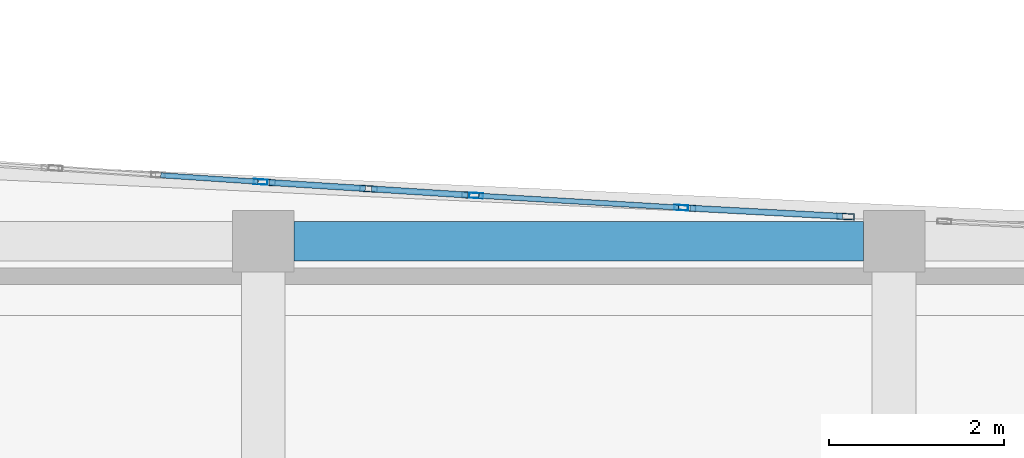
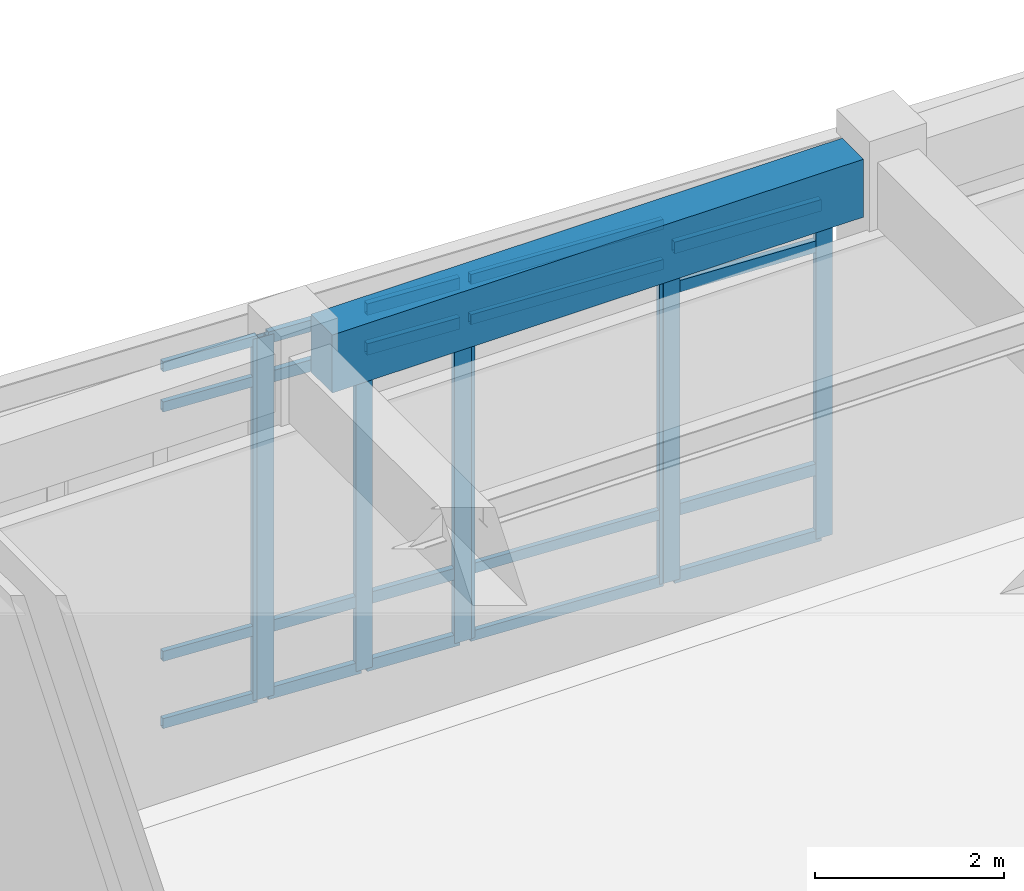
# One storey, part 58 of 102: 28 members, 1 beam, 4 elements without a shape of their own.
"""IFC4 building model written with IfcOpenShell, lengths in metres."""

from ifc_helpers import new_model, si_unit, direction, frame, origin, origin_2d, place, context, subcontext, project, spatial, rectangle, hollow_rectangle, extrude, material, layer, layer_set, material_profile, profile_set, type_object, element, aggregate, save


model = new_model("IFC4")

# Units and contexts
model_context = context("Model", 3, precision=1e-05, world=origin(), true_north=direction((0.0, 1.0)))
body_context = subcontext(model_context, "Body", "Model", "MODEL_VIEW")
ifc_project = project(units=[si_unit("LENGTHUNIT", "METRE"), si_unit("AREAUNIT", "SQUARE_METRE"), si_unit("VOLUMEUNIT", "CUBIC_METRE"), si_unit("PLANEANGLEUNIT", "RADIAN"), si_unit("MASSUNIT", "GRAM", prefix="KILO")], contexts=[model_context])

# Site, building, storey
site_placement = place(None, origin())
site = spatial("IfcSite", under=ifc_project, at=site_placement, CompositionType="ELEMENT")
building_placement = place(site_placement, origin())
building = spatial("IfcBuilding", under=site, at=building_placement, Name="Carrowvane Square Congress Hotel", CompositionType="ELEMENT")
storey_placement = place(building_placement, origin())
storey = spatial("IfcBuildingStorey", under=building, at=storey_placement, Name="L00", CompositionType="ELEMENT", Elevation=0.0)

# Beam
ifc_material_1 = material(Name="Concrete C35/45", Category="concrete")
ifc_material_profile_1 = material_profile(ifc_material_1, rectangle(XDim=0.449951171875, YDim=0.75, at=origin_2d()), Name="RC 450x750")
ifc_profile_set_1 = profile_set([ifc_material_profile_1], Name="Concrete C35/45")
beam_type = type_object("IfcBeamType", Name="BM-RC-450x750", PredefinedType="USERDEFINED", material=ifc_profile_set_1)
beam_placement = place(storey_placement, frame((148.75, 113.39990234375, 4.72509765625), z_axis=(1.0, 0.0, 0.0), x_axis=(0.0, 1.0, 0.0)))
element("IfcBeam", 1, at=beam_placement, inside=storey, type_object=beam_type, Name="L01 girder R/20-21", ObjectType="GIRDER", PredefinedType="USERDEFINED", context=body_context, shape_type="SweptSolid", body=[
    extrude(rectangle(XDim=0.449951171875, YDim=0.75, at=origin_2d()), origin(), (0.0, 0.0, 1.0), 6.5),
])

# Curtain wall, member
ifc_material_2 = material(Name="Anodised aluminium", Category="aluminium")
ifc_layer_1 = layer(ifc_material_2, 0.23388671875)
ifc_layer_set_1 = layer_set([ifc_layer_1], Name="Anodised aluminium")
curtain_wall_type_1 = type_object("IfcCurtainWallType", Name="CW-SYS-7", PredefinedType="NOTDEFINED", material=ifc_layer_set_1)
curtain_wall_1_placement = place(storey_placement, origin())
curtain_wall_1 = element("IfcCurtainWall", 2, at=curtain_wall_1_placement, inside=storey, type_object=curtain_wall_type_1, Name="L00 unitised curtain wall 46", PredefinedType="NOTDEFINED")
ifc_material_3 = material(Name="Anodised aluminium", Category="aluminium")
ifc_material_profile_2 = material_profile(ifc_material_3, hollow_rectangle(XDim=0.06005859375, YDim=0.159912109375, WallThickness=0.00390625, at=origin_2d()), Name="CW-ML 60x160x4")
ifc_profile_set_2 = profile_set([ifc_material_profile_2], Name="Anodised aluminium")
member_type_1 = type_object("IfcMemberType", Name="CW-MUL-1", PredefinedType="MULLION", material=ifc_profile_set_2)
member_1_placement = place(storey_placement, frame((148.3701171875, 114.077392578125, 0.0), z_axis=(0.0, 0.0, 1.0), x_axis=(0.06657392244, 0.997781495544, 0.0)))
member_1 = element("IfcMember", 3, at=member_1_placement, type_object=member_type_1, Name="CW-7 mullion 3", PredefinedType="MULLION", context=body_context, shape_type="SweptSolid", body=[
    extrude(hollow_rectangle(XDim=0.06005859375, YDim=0.159912109375, WallThickness=0.00390625, at=origin_2d()), origin(), (0.0, 0.0, 1.0), 4.675537109375),
])

# Curtain wall, members
ifc_material_4 = material(Name="Anodised aluminium", Category="aluminium")
ifc_layer_2 = layer(ifc_material_4, 0.162109375)
ifc_layer_set_2 = layer_set([ifc_layer_2], Name="Anodised aluminium")
curtain_wall_type_2 = type_object("IfcCurtainWallType", Name="CW-SYS-1", PredefinedType="NOTDEFINED", material=ifc_layer_set_2)
curtain_wall_2_placement = place(storey_placement, origin())
curtain_wall_2 = element("IfcCurtainWall", 4, at=curtain_wall_2_placement, inside=storey, type_object=curtain_wall_type_2, Name="L00 unitised curtain wall 48", PredefinedType="NOTDEFINED")
member_2_placement = place(storey_placement, frame((150.829833984375, 113.92138671875, 0.0), z_axis=(0.0, 0.0, 1.0), x_axis=(0.058988522254, 0.99825866099, 0.0)))
member_2 = element("IfcMember", 5, at=member_2_placement, type_object=member_type_1, Name="CW-1 mullion 1", PredefinedType="MULLION", context=body_context, shape_type="SweptSolid", body=[
    extrude(hollow_rectangle(XDim=0.06005859375, YDim=0.159912109375, WallThickness=0.00390625, at=origin_2d()), origin(), (0.0, 0.0, 1.0), 4.675537109375),
])
member_3_placement = place(storey_placement, frame((153.170166015625, 113.783203125, 0.0), z_axis=(0.0, 0.0, 1.0), x_axis=(0.058988522254, 0.99825866099, 0.0)))
member_3 = element("IfcMember", 6, at=member_3_placement, type_object=member_type_1, Name="CW-1 mullion 2", PredefinedType="MULLION", context=body_context, shape_type="SweptSolid", body=[
    extrude(hollow_rectangle(XDim=0.06005859375, YDim=0.159912109375, WallThickness=0.00390625, at=origin_2d()), origin(), (0.0, 0.0, 1.0), 4.675537109375),
])

ifc_material_5 = material(Name="Anodised aluminium", Category="aluminium")
ifc_layer_3 = layer(ifc_material_5, 0.24609375)
ifc_layer_set_3 = layer_set([ifc_layer_3], Name="Anodised aluminium")
curtain_wall_type_3 = type_object("IfcCurtainWallType", Name="CW-SYS-8", PredefinedType="NOTDEFINED", material=ifc_layer_set_3)
curtain_wall_3_placement = place(storey_placement, origin())
curtain_wall_3 = element("IfcCurtainWall", 7, at=curtain_wall_3_placement, inside=storey, type_object=curtain_wall_type_3, Name="L00 unitised curtain wall 47", PredefinedType="NOTDEFINED")
ifc_material_6 = material(Name="Anodised aluminium", Category="aluminium")
ifc_material_profile_3 = material_profile(ifc_material_6, hollow_rectangle(XDim=0.070068359375, YDim=0.199951171875, WallThickness=0.0048828125, at=origin_2d()), Name="CW-ML 70x200x5")
ifc_profile_set_3 = profile_set([ifc_material_profile_3], Name="Anodised aluminium")
member_type_2 = type_object("IfcMemberType", Name="CW-MUL-2", PredefinedType="MULLION", material=ifc_profile_set_3)
member_4_placement = place(storey_placement, frame((148.434814453125, 114.0732421875, 0.0), z_axis=(0.0, 0.0, 1.0), x_axis=(0.063273487972, 0.997996225303, 0.0)))
member_4 = element("IfcMember", 8, at=member_4_placement, type_object=member_type_2, Name="CW-8 mullion 1", PredefinedType="MULLION", context=body_context, shape_type="SweptSolid", body=[
    extrude(hollow_rectangle(XDim=0.070068359375, YDim=0.199951171875, WallThickness=0.0048828125, at=origin_2d()), origin(), (0.0, 0.0, 1.0), 4.675537109375),
])
member_5_placement = place(storey_placement, frame((149.60009765625, 113.999267578125, 0.0), z_axis=(0.0, 0.0, 1.0), x_axis=(0.063273487972, 0.997996225303, 0.0)))
member_5 = element("IfcMember", 9, at=member_5_placement, type_object=member_type_2, Name="CW-8 mullion 2", PredefinedType="MULLION", context=body_context, shape_type="SweptSolid", body=[
    extrude(hollow_rectangle(XDim=0.070068359375, YDim=0.199951171875, WallThickness=0.0048828125, at=origin_2d()), origin(), (0.0, 0.0, 1.0), 4.675537109375),
])
member_6_placement = place(storey_placement, frame((150.76513671875, 113.92529296875, 0.0), z_axis=(0.0, 0.0, 1.0), x_axis=(0.063273487972, 0.997996225303, 0.0)))
member_6 = element("IfcMember", 10, at=member_6_placement, type_object=member_type_2, Name="CW-8 mullion 3", PredefinedType="MULLION", context=body_context, shape_type="SweptSolid", body=[
    extrude(hollow_rectangle(XDim=0.070068359375, YDim=0.199951171875, WallThickness=0.0048828125, at=origin_2d()), origin(), (0.0, 0.0, 1.0), 4.675537109375),
])

ifc_material_7 = material(Name="Anodised aluminium", Category="aluminium")
ifc_layer_4 = layer(ifc_material_7, 0.174072265625)
ifc_layer_set_4 = layer_set([ifc_layer_4], Name="Anodised aluminium")
curtain_wall_type_4 = type_object("IfcCurtainWallType", Name="CW-SYS-2", PredefinedType="NOTDEFINED", material=ifc_layer_set_4)
curtain_wall_4_placement = place(storey_placement, origin())
curtain_wall_4 = element("IfcCurtainWall", 11, at=curtain_wall_4_placement, inside=storey, type_object=curtain_wall_type_4, Name="L00 unitised curtain wall 49", PredefinedType="NOTDEFINED")
member_7_placement = place(storey_placement, frame((153.23486328125, 113.779541015625, 0.0), z_axis=(0.0, 0.0, 1.0), x_axis=(0.053517029722, 0.99856693693, 0.0)))
member_7 = element("IfcMember", 12, at=member_7_placement, type_object=member_type_2, Name="CW-2 mullion 1", PredefinedType="MULLION", context=body_context, shape_type="SweptSolid", body=[
    extrude(hollow_rectangle(XDim=0.070068359375, YDim=0.199951171875, WallThickness=0.0048828125, at=origin_2d()), origin(), (0.0, 0.0, 1.0), 4.3349609375),
])
member_8_placement = place(storey_placement, frame((155.046142578125, 113.682373046875, 0.0), z_axis=(0.0, 0.0, 1.0), x_axis=(0.053517029722, 0.99856693693, 0.0)))
member_8 = element("IfcMember", 13, at=member_8_placement, type_object=member_type_2, Name="CW-2 mullion 2", PredefinedType="MULLION", context=body_context, shape_type="SweptSolid", body=[
    extrude(hollow_rectangle(XDim=0.070068359375, YDim=0.199951171875, WallThickness=0.0048828125, at=origin_2d()), origin(), (0.0, 0.0, 1.0), 4.3349609375),
])

# Member
ifc_material_8 = material(Name="Anodised aluminium", Category="aluminium")
ifc_material_profile_4 = material_profile(ifc_material_8, hollow_rectangle(XDim=0.06005859375, YDim=0.1298828125, WallThickness=0.00390625, at=origin_2d()), Name="CW-TR 60x130x4")
ifc_profile_set_4 = profile_set([ifc_material_profile_4], Name="Anodised aluminium")
member_type_3 = type_object("IfcMemberType", Name="CW-TRN-1", PredefinedType="USERDEFINED", material=ifc_profile_set_4)
member_9_placement = place(storey_placement, frame((147.22998046875, 114.1533203125, 0.030029296875), z_axis=(0.997787099366, -0.066489881484, 0.0), x_axis=(0.066489881484, 0.997787099366, 0.0)))
member_9 = element("IfcMember", 14, at=member_9_placement, type_object=member_type_3, Name="CW-7 transom 2.1", ObjectType="TRANSOM", PredefinedType="USERDEFINED", context=body_context, shape_type="SweptSolid", body=[
    extrude(hollow_rectangle(XDim=0.06005859375, YDim=0.1298828125, WallThickness=0.00390625, at=origin_2d()), origin(), (0.0, 0.0, 1.0), 1.112548828125),
])

member_10_placement = place(storey_placement, frame((147.22998046875, 114.1533203125, 0.89990234375), z_axis=(0.997787099366, -0.066489881484, 0.0), x_axis=(0.066489881484, 0.997787099366, 0.0)))
member_10 = element("IfcMember", 15, at=member_10_placement, type_object=member_type_3, Name="CW-7 transom 2.2", ObjectType="TRANSOM", PredefinedType="USERDEFINED", context=body_context, shape_type="SweptSolid", body=[
    extrude(hollow_rectangle(XDim=0.06005859375, YDim=0.1298828125, WallThickness=0.00390625, at=origin_2d()), origin(), (0.0, 0.0, 1.0), 1.112548828125),
])

member_11_placement = place(storey_placement, frame((147.22998046875, 114.1533203125, 4.12548828125), z_axis=(0.997787099366, -0.066489881484, 0.0), x_axis=(0.066489881484, 0.997787099366, 0.0)))
member_11 = element("IfcMember", 16, at=member_11_placement, type_object=member_type_3, Name="CW-7 transom 2.3", ObjectType="TRANSOM", PredefinedType="USERDEFINED", context=body_context, shape_type="SweptSolid", body=[
    extrude(hollow_rectangle(XDim=0.06005859375, YDim=0.1298828125, WallThickness=0.00390625, at=origin_2d()), origin(), (0.0, 0.0, 1.0), 1.112548828125),
])

member_12_placement = place(storey_placement, frame((147.22998046875, 114.1533203125, 4.6455078125), z_axis=(0.997787099366, -0.066489881484, 0.0), x_axis=(0.066489881484, 0.997787099366, 0.0)))
member_12 = element("IfcMember", 17, at=member_12_placement, type_object=member_type_3, Name="CW-7 transom 2.4", ObjectType="TRANSOM", PredefinedType="USERDEFINED", context=body_context, shape_type="SweptSolid", body=[
    extrude(hollow_rectangle(XDim=0.06005859375, YDim=0.1298828125, WallThickness=0.00390625, at=origin_2d()), origin(), (0.0, 0.0, 1.0), 1.112548828125),
])

aggregate(curtain_wall_1, [member_1, member_9, member_10, member_11, member_12])

member_13_placement = place(storey_placement, frame((150.85986328125, 113.919677734375, 0.030029296875), z_axis=(0.998258118852, -0.058997696103, 0.0), x_axis=(0.058997696103, 0.998258118852, 0.0)))
member_13 = element("IfcMember", 18, at=member_13_placement, type_object=member_type_3, Name="CW-1 transom 1.1", ObjectType="TRANSOM", PredefinedType="USERDEFINED", context=body_context, shape_type="SweptSolid", body=[
    extrude(hollow_rectangle(XDim=0.06005859375, YDim=0.1298828125, WallThickness=0.00390625, at=origin_2d()), origin(), (0.0, 0.0, 1.0), 2.2841796875),
])

member_14_placement = place(storey_placement, frame((150.85986328125, 113.919677734375, 0.89990234375), z_axis=(0.998258118852, -0.058997696103, 0.0), x_axis=(0.058997696103, 0.998258118852, 0.0)))
member_14 = element("IfcMember", 19, at=member_14_placement, type_object=member_type_3, Name="CW-1 transom 1.2", ObjectType="TRANSOM", PredefinedType="USERDEFINED", context=body_context, shape_type="SweptSolid", body=[
    extrude(hollow_rectangle(XDim=0.06005859375, YDim=0.1298828125, WallThickness=0.00390625, at=origin_2d()), origin(), (0.0, 0.0, 1.0), 2.2841796875),
])

member_15_placement = place(storey_placement, frame((150.85986328125, 113.919677734375, 4.12548828125), z_axis=(0.998258118852, -0.058997696103, 0.0), x_axis=(0.058997696103, 0.998258118852, 0.0)))
member_15 = element("IfcMember", 20, at=member_15_placement, type_object=member_type_3, Name="CW-1 transom 1.3", ObjectType="TRANSOM", PredefinedType="USERDEFINED", context=body_context, shape_type="SweptSolid", body=[
    extrude(hollow_rectangle(XDim=0.06005859375, YDim=0.1298828125, WallThickness=0.00390625, at=origin_2d()), origin(), (0.0, 0.0, 1.0), 2.2841796875),
])

member_16_placement = place(storey_placement, frame((150.85986328125, 113.919677734375, 4.6455078125), z_axis=(0.998258118852, -0.058997696103, 0.0), x_axis=(0.058997696103, 0.998258118852, 0.0)))
member_16 = element("IfcMember", 21, at=member_16_placement, type_object=member_type_3, Name="CW-1 transom 1.4", ObjectType="TRANSOM", PredefinedType="USERDEFINED", context=body_context, shape_type="SweptSolid", body=[
    extrude(hollow_rectangle(XDim=0.06005859375, YDim=0.1298828125, WallThickness=0.00390625, at=origin_2d()), origin(), (0.0, 0.0, 1.0), 2.2841796875),
])

aggregate(curtain_wall_2, [member_2, member_3, member_13, member_14, member_15, member_16])

ifc_material_9 = material(Name="Anodised aluminium", Category="aluminium")
ifc_material_profile_5 = material_profile(ifc_material_9, hollow_rectangle(XDim=0.070068359375, YDim=0.14990234375, WallThickness=0.0048828125, at=origin_2d()), Name="CW-TR 70x150x5")
ifc_profile_set_5 = profile_set([ifc_material_profile_5], Name="Anodised aluminium")
member_type_4 = type_object("IfcMemberType", Name="CW-TRN-2", PredefinedType="USERDEFINED", material=ifc_profile_set_5)
member_17_placement = place(storey_placement, frame((148.469970703125, 114.07080078125, 0.034912109375), z_axis=(0.998001159497, -0.063195614113, 0.0), x_axis=(0.063195614113, 0.998001159497, 0.0)))
member_17 = element("IfcMember", 22, at=member_17_placement, type_object=member_type_4, Name="CW-8 transom 1.1", ObjectType="TRANSOM", PredefinedType="USERDEFINED", context=body_context, shape_type="SweptSolid", body=[
    extrude(hollow_rectangle(XDim=0.070068359375, YDim=0.14990234375, WallThickness=0.0048828125, at=origin_2d()), origin(), (0.0, 0.0, 1.0), 1.09716796875),
])

member_18_placement = place(storey_placement, frame((148.469970703125, 114.07080078125, 0.89990234375), z_axis=(0.998001159497, -0.063195614113, 0.0), x_axis=(0.063195614113, 0.998001159497, 0.0)))
member_18 = element("IfcMember", 23, at=member_18_placement, type_object=member_type_4, Name="CW-8 transom 1.2", ObjectType="TRANSOM", PredefinedType="USERDEFINED", context=body_context, shape_type="SweptSolid", body=[
    extrude(hollow_rectangle(XDim=0.070068359375, YDim=0.14990234375, WallThickness=0.0048828125, at=origin_2d()), origin(), (0.0, 0.0, 1.0), 1.09716796875),
])

member_19_placement = place(storey_placement, frame((148.469970703125, 114.07080078125, 4.12548828125), z_axis=(0.998001159497, -0.063195614113, 0.0), x_axis=(0.063195614113, 0.998001159497, 0.0)))
member_19 = element("IfcMember", 24, at=member_19_placement, type_object=member_type_4, Name="CW-8 transom 1.3", ObjectType="TRANSOM", PredefinedType="USERDEFINED", context=body_context, shape_type="SweptSolid", body=[
    extrude(hollow_rectangle(XDim=0.070068359375, YDim=0.14990234375, WallThickness=0.0048828125, at=origin_2d()), origin(), (0.0, 0.0, 1.0), 1.09716796875),
])

member_20_placement = place(storey_placement, frame((148.469970703125, 114.07080078125, 4.640625), z_axis=(0.998001159497, -0.063195614113, 0.0), x_axis=(0.063195614113, 0.998001159497, 0.0)))
member_20 = element("IfcMember", 25, at=member_20_placement, type_object=member_type_4, Name="CW-8 transom 1.4", ObjectType="TRANSOM", PredefinedType="USERDEFINED", context=body_context, shape_type="SweptSolid", body=[
    extrude(hollow_rectangle(XDim=0.070068359375, YDim=0.14990234375, WallThickness=0.0048828125, at=origin_2d()), origin(), (0.0, 0.0, 1.0), 1.09716796875),
])

member_21_placement = place(storey_placement, frame((149.635009765625, 113.9970703125, 0.034912109375), z_axis=(0.997987995528, -0.063403160661, 0.0), x_axis=(0.063403160661, 0.997987995528, 0.0)))
member_21 = element("IfcMember", 26, at=member_21_placement, type_object=member_type_4, Name="CW-8 transom 2.1", ObjectType="TRANSOM", PredefinedType="USERDEFINED", context=body_context, shape_type="SweptSolid", body=[
    extrude(hollow_rectangle(XDim=0.070068359375, YDim=0.14990234375, WallThickness=0.0048828125, at=origin_2d()), origin(), (0.0, 0.0, 1.0), 1.097412109375),
])

member_22_placement = place(storey_placement, frame((149.635009765625, 113.9970703125, 0.89990234375), z_axis=(0.997987995528, -0.063403160661, 0.0), x_axis=(0.063403160661, 0.997987995528, 0.0)))
member_22 = element("IfcMember", 27, at=member_22_placement, type_object=member_type_4, Name="CW-8 transom 2.2", ObjectType="TRANSOM", PredefinedType="USERDEFINED", context=body_context, shape_type="SweptSolid", body=[
    extrude(hollow_rectangle(XDim=0.070068359375, YDim=0.14990234375, WallThickness=0.0048828125, at=origin_2d()), origin(), (0.0, 0.0, 1.0), 1.097412109375),
])

member_23_placement = place(storey_placement, frame((149.635009765625, 113.9970703125, 4.12548828125), z_axis=(0.997987995528, -0.063403160661, 0.0), x_axis=(0.063403160661, 0.997987995528, 0.0)))
member_23 = element("IfcMember", 28, at=member_23_placement, type_object=member_type_4, Name="CW-8 transom 2.3", ObjectType="TRANSOM", PredefinedType="USERDEFINED", context=body_context, shape_type="SweptSolid", body=[
    extrude(hollow_rectangle(XDim=0.070068359375, YDim=0.14990234375, WallThickness=0.0048828125, at=origin_2d()), origin(), (0.0, 0.0, 1.0), 1.097412109375),
])

member_24_placement = place(storey_placement, frame((149.635009765625, 113.9970703125, 4.640625), z_axis=(0.997987995528, -0.063403160661, 0.0), x_axis=(0.063403160661, 0.997987995528, 0.0)))
member_24 = element("IfcMember", 29, at=member_24_placement, type_object=member_type_4, Name="CW-8 transom 2.4", ObjectType="TRANSOM", PredefinedType="USERDEFINED", context=body_context, shape_type="SweptSolid", body=[
    extrude(hollow_rectangle(XDim=0.070068359375, YDim=0.14990234375, WallThickness=0.0048828125, at=origin_2d()), origin(), (0.0, 0.0, 1.0), 1.097412109375),
])

aggregate(curtain_wall_3, [member_4, member_5, member_6, member_17, member_18, member_19, member_20, member_21, member_22, member_23, member_24])

member_25_placement = place(storey_placement, frame((153.27001953125, 113.777587890625, 0.034912109375), z_axis=(0.998568265843, -0.053492227956, 0.0), x_axis=(0.053492227956, 0.998568265843, 0.0)))
member_25 = element("IfcMember", 30, at=member_25_placement, type_object=member_type_4, Name="CW-2 transom 1.1", ObjectType="TRANSOM", PredefinedType="USERDEFINED", context=body_context, shape_type="SweptSolid", body=[
    extrude(hollow_rectangle(XDim=0.070068359375, YDim=0.14990234375, WallThickness=0.0048828125, at=origin_2d()), origin(), (0.0, 0.0, 1.0), 1.743408203125),
])

member_26_placement = place(storey_placement, frame((153.27001953125, 113.777587890625, 0.89990234375), z_axis=(0.998568265843, -0.053492227956, 0.0), x_axis=(0.053492227956, 0.998568265843, 0.0)))
member_26 = element("IfcMember", 31, at=member_26_placement, type_object=member_type_4, Name="CW-2 transom 1.2", ObjectType="TRANSOM", PredefinedType="USERDEFINED", context=body_context, shape_type="SweptSolid", body=[
    extrude(hollow_rectangle(XDim=0.070068359375, YDim=0.14990234375, WallThickness=0.0048828125, at=origin_2d()), origin(), (0.0, 0.0, 1.0), 1.743408203125),
])

member_27_placement = place(storey_placement, frame((153.27001953125, 113.777587890625, 3.784912109375), z_axis=(0.998568265843, -0.053492227956, 0.0), x_axis=(0.053492227956, 0.998568265843, 0.0)))
member_27 = element("IfcMember", 32, at=member_27_placement, type_object=member_type_4, Name="CW-2 transom 1.3", ObjectType="TRANSOM", PredefinedType="USERDEFINED", context=body_context, shape_type="SweptSolid", body=[
    extrude(hollow_rectangle(XDim=0.070068359375, YDim=0.14990234375, WallThickness=0.0048828125, at=origin_2d()), origin(), (0.0, 0.0, 1.0), 1.743408203125),
])

member_28_placement = place(storey_placement, frame((153.27001953125, 113.777587890625, 4.300048828125), z_axis=(0.998568265843, -0.053492227956, 0.0), x_axis=(0.053492227956, 0.998568265843, 0.0)))
member_28 = element("IfcMember", 33, at=member_28_placement, type_object=member_type_4, Name="CW-2 transom 1.4", ObjectType="TRANSOM", PredefinedType="USERDEFINED", context=body_context, shape_type="SweptSolid", body=[
    extrude(hollow_rectangle(XDim=0.070068359375, YDim=0.14990234375, WallThickness=0.0048828125, at=origin_2d()), origin(), (0.0, 0.0, 1.0), 1.743408203125),
])

aggregate(curtain_wall_4, [member_7, member_8, member_25, member_26, member_27, member_28])

save(model, "model.ifc")
